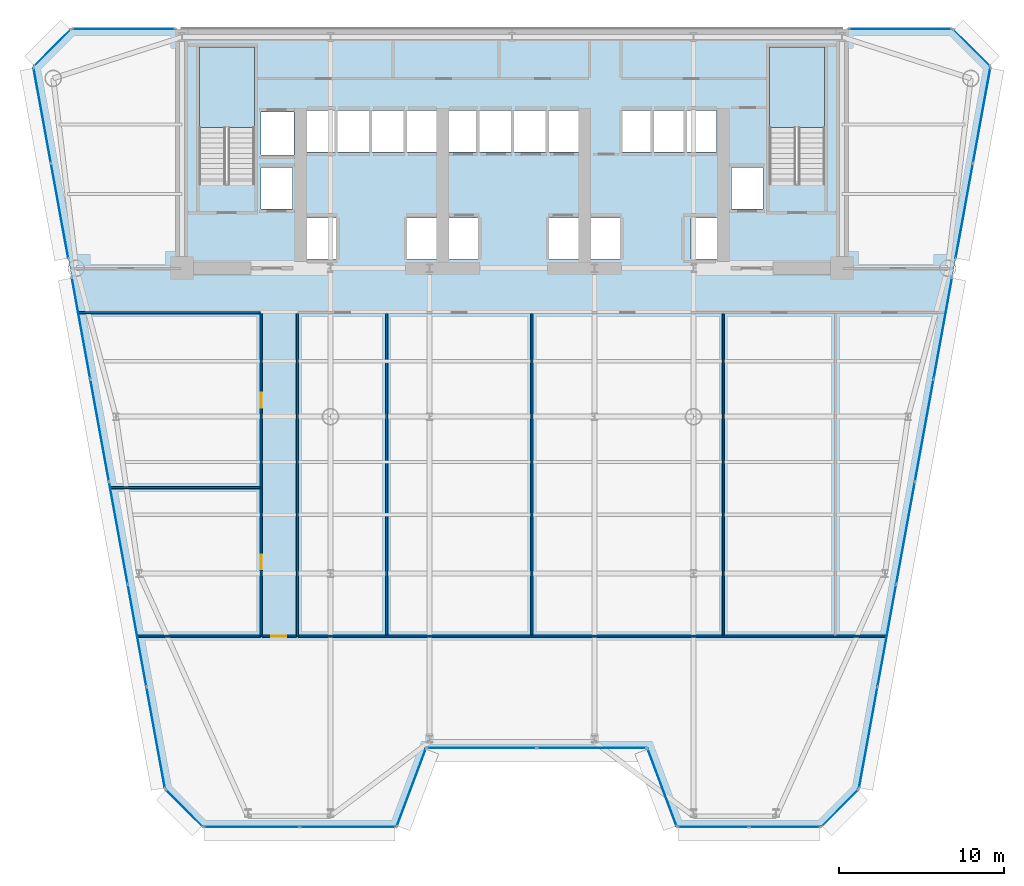
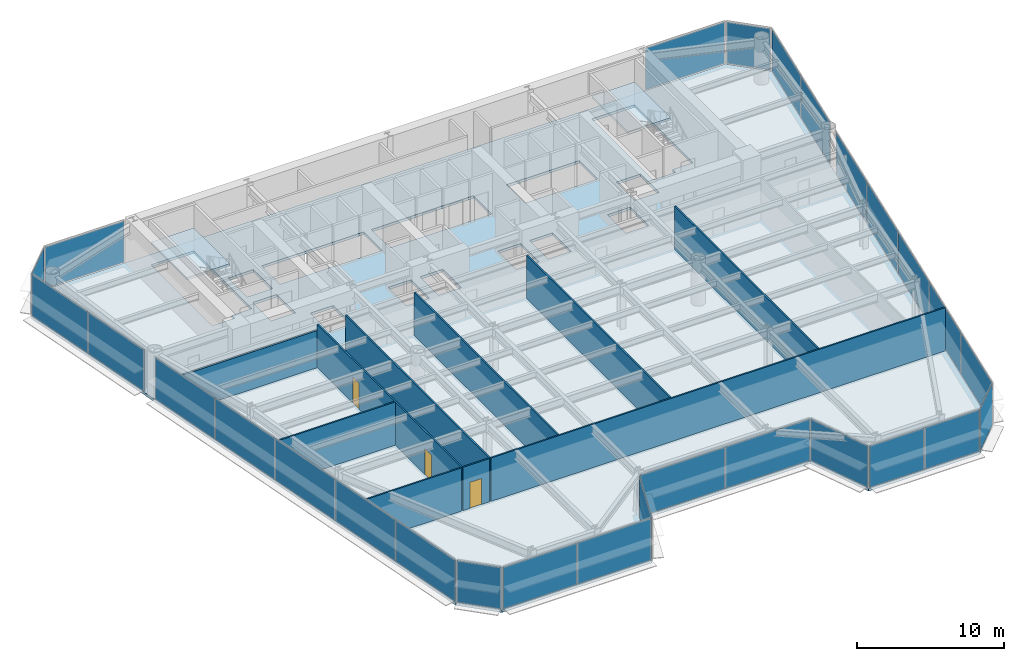
# One storey, part 8 of 15: 28 plates, 10 walls, 3 doors, 3 slabs, 3 openings, 17 elements without a shape of their own.
"""IFC4 building model written with IfcOpenShell, lengths in metres."""

from ifc_helpers import new_model, si_unit, direction, frame, frame_2d, origin, origin_2d, place, context, subcontext, project, spatial, polyline, rectangle, outline, extrude, source, transform, mapped, material, layer, layer_set, type_object, element, fill, aggregate, save


model = new_model("IFC4")

# Units and contexts
model_context = context("Model", 3, precision=1e-05, world=origin(), true_north=direction((0.0, 1.0)))
body_context = subcontext(model_context, "Body", "Model", "MODEL_VIEW")
ifc_project = project(units=[si_unit("LENGTHUNIT", "METRE"), si_unit("AREAUNIT", "SQUARE_METRE"), si_unit("VOLUMEUNIT", "CUBIC_METRE"), si_unit("PLANEANGLEUNIT", "RADIAN"), si_unit("MASSUNIT", "GRAM", prefix="KILO")], contexts=[model_context])

# Site, building, storey
site_placement = place(None, origin())
site = spatial("IfcSite", under=ifc_project, at=site_placement, CompositionType="ELEMENT")
building_placement = place(site_placement, origin())
building = spatial("IfcBuilding", under=site, at=building_placement, Name="Vaeldorn Concourse Tower", CompositionType="ELEMENT")
storey_placement = place(building_placement, frame((0.0, 0.0, 103.39990234375)))
storey = spatial("IfcBuildingStorey", under=building, at=storey_placement, Name="L26", CompositionType="ELEMENT", Elevation=103.39990234375)

# Stair, slab
ifc_material_1 = material(Name="Precast concrete C40/50", Category="concrete")
stair_type = type_object("IfcStairType", Name="STR-DOG-24x158", PredefinedType="HALF_TURN_STAIR", material=ifc_material_1)
stair_1_placement = place(storey_placement, origin())
stair_1 = element("IfcStair", 1, at=stair_1_placement, inside=storey, type_object=stair_type, Name="L26 West Core Exit Stair ST-1", PredefinedType="HALF_TURN_STAIR")
ifc_material_2 = material(Name="Concrete C40/50", Category="concrete")
ifc_layer_1 = layer(ifc_material_2, 0.199951171875)
ifc_layer_set_1 = layer_set([ifc_layer_1], Name="Concrete C40/50")
slab_type_1 = type_object("IfcSlabType", Name="SL-STAIR-LANDING", PredefinedType="LANDING", material=ifc_layer_set_1)
slab_1_placement = place(storey_placement, frame((0.0, 0.0, 1.7001953125)))
slab_1 = element("IfcSlab", 2, at=slab_1_placement, type_object=slab_type_1, Name="ST-1 landing 1", PredefinedType="LANDING", context=body_context, shape_type="SweptSolid", body=[
    extrude(outline(polyline([(18.39990234375, 45.010009765625), (18.39990234375, 49.89990234375), (15.050048828125, 49.89990234375), (15.050048828125, 45.010009765625), (18.39990234375, 45.010009765625)])), origin(), (0.0, 0.0, 1.0), 0.199951171875),
])
aggregate(stair_1, [slab_1])

stair_2_placement = place(storey_placement, origin())
stair_2 = element("IfcStair", 3, at=stair_2_placement, inside=storey, type_object=stair_type, Name="L26 East Core Exit Stair ST-2", PredefinedType="HALF_TURN_STAIR")
slab_2_placement = place(storey_placement, frame((0.0, 0.0, 1.7001953125)))
slab_2 = element("IfcSlab", 4, at=slab_2_placement, type_object=slab_type_1, Name="ST-2 landing 1", PredefinedType="LANDING", context=body_context, shape_type="SweptSolid", body=[
    extrude(outline(polyline([(52.949951171875, 45.010009765625), (52.949951171875, 49.89990234375), (49.60009765625, 49.89990234375), (49.60009765625, 45.010009765625), (52.949951171875, 45.010009765625)])), origin(), (0.0, 0.0, 1.0), 0.199951171875),
])
aggregate(stair_2, [slab_2])

# Slab
ifc_layer_2 = layer(ifc_material_2, 0.219970703125)
ifc_layer_set_2 = layer_set([ifc_layer_2], Name="Concrete C40/50")
slab_type_2 = type_object("IfcSlabType", Name="SL-TYP-220", PredefinedType="FLOOR", material=ifc_layer_set_2)
slab_3_placement = place(storey_placement, frame((0.0, 0.0, -0.219970703125)))
element("IfcSlab", 5, at=slab_3_placement, inside=storey, type_object=slab_type_2, Name="Structural Floor Slab L26", PredefinedType="FLOOR", context=body_context, shape_type="SweptSolid", body=[
    extrude(outline(polyline([(15.281005859375, 2.6298828125), (27.0, 2.6298828125), (28.800048828125, 7.4296875), (42.199951171875, 7.4296875), (44.0, 2.6298828125), (52.718994140625, 2.6298828125), (55.018798828125, 4.9296875), (63.0, 48.699951171875), (60.699951171875, 51.0), (7.300048828125, 51.0), (5.0, 48.699951171875), (12.981201171875, 4.9296875), (15.281005859375, 2.6298828125)]), holes=[polyline([(18.39990234375, 42.0), (18.39990234375, 49.89990234375), (15.050048828125, 49.89990234375), (15.050048828125, 41.60009765625), (16.800048828125, 41.60009765625), (16.800048828125, 42.0), (18.39990234375, 42.0)]), polyline([(52.949951171875, 42.0), (52.949951171875, 49.89990234375), (49.60009765625, 49.89990234375), (49.60009765625, 41.60009765625), (51.35009765625, 41.60009765625), (51.35009765625, 42.0), (52.949951171875, 42.0)]), polyline([(21.550048828125, 37.050048828125), (23.35009765625, 37.050048828125), (23.35009765625, 39.550048828125), (21.550048828125, 39.550048828125), (21.550048828125, 37.050048828125)]), polyline([(27.64990234375, 37.050048828125), (29.449951171875, 37.050048828125), (29.449951171875, 39.550048828125), (27.64990234375, 39.550048828125), (27.64990234375, 37.050048828125)]), polyline([(21.5, 43.550048828125), (29.5, 43.550048828125), (29.5, 46.050048828125), (21.5, 46.050048828125), (21.5, 43.550048828125)]), polyline([(30.14990234375, 37.050048828125), (31.949951171875, 37.050048828125), (31.949951171875, 39.550048828125), (30.14990234375, 39.550048828125), (30.14990234375, 37.050048828125)]), polyline([(36.25, 37.050048828125), (38.050048828125, 37.050048828125), (38.050048828125, 39.550048828125), (36.25, 39.550048828125), (36.25, 37.050048828125)]), polyline([(30.10009765625, 43.550048828125), (38.10009765625, 43.550048828125), (38.10009765625, 46.050048828125), (30.10009765625, 46.050048828125), (30.10009765625, 43.550048828125)]), polyline([(38.75, 37.050048828125), (40.550048828125, 37.050048828125), (40.550048828125, 39.550048828125), (38.75, 39.550048828125), (38.75, 37.050048828125)]), polyline([(44.85009765625, 37.050048828125), (46.64990234375, 37.050048828125), (46.64990234375, 39.550048828125), (44.85009765625, 39.550048828125), (44.85009765625, 37.050048828125)]), polyline([(40.699951171875, 43.550048828125), (46.39990234375, 43.550048828125), (46.39990234375, 46.050048828125), (40.699951171875, 46.050048828125), (40.699951171875, 43.550048828125)]), polyline([(18.800048828125, 43.35009765625), (20.800048828125, 43.35009765625), (20.800048828125, 45.949951171875), (18.800048828125, 45.949951171875), (18.800048828125, 43.35009765625)]), polyline([(18.800048828125, 40.10009765625), (20.699951171875, 40.10009765625), (20.699951171875, 42.60009765625), (18.800048828125, 42.60009765625), (18.800048828125, 40.10009765625)]), polyline([(47.300048828125, 40.10009765625), (49.199951171875, 40.10009765625), (49.199951171875, 42.60009765625), (47.300048828125, 42.60009765625), (47.300048828125, 40.10009765625)])]), origin(), (0.0, 0.0, 1.0), 0.219970703125),
])

# Curtain wall, plate
ifc_material_3 = material(Name="Anodised Bronze Aluminium", Category="aluminium")
ifc_layer_3 = layer(ifc_material_3, 0.199951171875)
ifc_layer_set_3 = layer_set([ifc_layer_3], Name="Anodised Bronze Aluminium")
curtain_wall_type = type_object("IfcCurtainWallType", Name="CW-SYS-02", PredefinedType="NOTDEFINED", material=ifc_layer_set_3)
curtain_wall_1_placement = place(storey_placement, origin())
curtain_wall_1 = element("IfcCurtainWall", 6, at=curtain_wall_1_placement, inside=storey, type_object=curtain_wall_type, Name="Unitised Curtain Wall CW-L26-E02-1", PredefinedType="NOTDEFINED")
ifc_material_4 = material(Name="Bronze Tinted Low-E Insulated Glass", Category="glass")
ifc_layer_4 = layer(ifc_material_4, 0.031982421875)
ifc_layer_set_4 = layer_set([ifc_layer_4], Name="Bronze Tinted Low-E Insulated Glass")
plate_type = type_object("IfcPlateType", Name="CWP-VISION-32", PredefinedType="CURTAIN_PANEL", material=ifc_layer_set_4)
shared_shape_1 = source(origin(), body_context, "Body", "SweptSolid", [
    extrude(rectangle(XDim=4.976318359375, YDim=0.031982421875, at=origin_2d()), origin(), (0.0, 0.0, 1.0), 3.429931640625),
])
plate_1_placement = place(storey_placement, frame((27.89990234375, 5.02978515625, 0.0751953125), z_axis=(0.0, 0.0, 1.0), x_axis=(0.351123441595, 0.936329177566, 0.0)))
plate_1 = element("IfcPlate", 7, at=plate_1_placement, type_object=plate_type, Name="CW-02 panel 1.1", PredefinedType="CURTAIN_PANEL", context=body_context, shape_type="MappedRepresentation", body=[
    mapped(shared_shape_1, transform((0.0, 0.0, 0.0), scale=1.0)),
])
aggregate(curtain_wall_1, [plate_1])

curtain_wall_2_placement = place(storey_placement, origin())
curtain_wall_2 = element("IfcCurtainWall", 8, at=curtain_wall_2_placement, inside=storey, type_object=curtain_wall_type, Name="Unitised Curtain Wall CW-L26-E04-1", PredefinedType="NOTDEFINED")
plate_2_placement = place(storey_placement, frame((43.10009765625, 5.02978515625, 0.0751953125), z_axis=(0.0, 0.0, 1.0), x_axis=(0.351123441595, -0.936329177566, 0.0)))
plate_2 = element("IfcPlate", 9, at=plate_2_placement, type_object=plate_type, Name="CW-02 panel 1.1", PredefinedType="CURTAIN_PANEL", context=body_context, shape_type="MappedRepresentation", body=[
    mapped(shared_shape_1, transform((0.0, 0.0, 0.0), scale=1.0)),
])
aggregate(curtain_wall_2, [plate_2])

# Curtain wall, plates
curtain_wall_3_placement = place(storey_placement, origin())
curtain_wall_3 = element("IfcCurtainWall", 10, at=curtain_wall_3_placement, inside=storey, type_object=curtain_wall_type, Name="Unitised Curtain Wall CW-L26-E03-1", PredefinedType="NOTDEFINED")
shared_shape_2 = source(origin(), body_context, "Body", "SweptSolid", [
    extrude(rectangle(XDim=6.58740234375, YDim=0.031982421875, at=origin_2d()), origin(), (0.0, 0.0, 1.0), 3.429931640625),
])
plate_3_placement = place(storey_placement, frame((32.168701171875, 7.4296875, 0.0751953125), z_axis=(0.0, 0.0, 1.0), x_axis=(1.0, 0.0, 0.0)))
plate_3 = element("IfcPlate", 11, at=plate_3_placement, type_object=plate_type, Name="CW-02 panel 1.1", PredefinedType="CURTAIN_PANEL", context=body_context, shape_type="MappedRepresentation", body=[
    mapped(shared_shape_2, transform((0.0, 0.0, 0.0), scale=1.0)),
])
plate_4_placement = place(storey_placement, frame((38.831298828125, 7.4296875, 0.0751953125), z_axis=(0.0, 0.0, 1.0), x_axis=(1.0, 0.0, 0.0)))
plate_4 = element("IfcPlate", 12, at=plate_4_placement, type_object=plate_type, Name="CW-02 panel 2.1", PredefinedType="CURTAIN_PANEL", context=body_context, shape_type="MappedRepresentation", body=[
    mapped(shared_shape_2, transform((0.0, 0.0, 0.0), scale=1.0)),
])
aggregate(curtain_wall_3, [plate_3, plate_4])

# Curtain wall, plate
curtain_wall_4_placement = place(storey_placement, origin())
curtain_wall_4 = element("IfcCurtainWall", 13, at=curtain_wall_4_placement, inside=storey, type_object=curtain_wall_type, Name="Unitised Curtain Wall CW-L26-E06-1", PredefinedType="NOTDEFINED")
shared_shape_3 = source(origin(), body_context, "Body", "SweptSolid", [
    extrude(rectangle(XDim=3.102783203125, YDim=0.031982421875, at=origin_2d()), origin(), (0.0, 0.0, 1.0), 3.429931640625),
])
plate_5_placement = place(storey_placement, frame((53.868896484375, 3.77978515625, 0.0751953125), z_axis=(0.0, 0.0, 1.0), x_axis=(0.707106781187, 0.707106781187, 0.0)))
plate_5 = element("IfcPlate", 14, at=plate_5_placement, type_object=plate_type, Name="CW-02 panel 1.1", PredefinedType="CURTAIN_PANEL", context=body_context, shape_type="MappedRepresentation", body=[
    mapped(shared_shape_3, transform((0.0, 0.0, 0.0), scale=1.0)),
])
aggregate(curtain_wall_4, [plate_5])

curtain_wall_5_placement = place(storey_placement, origin())
curtain_wall_5 = element("IfcCurtainWall", 15, at=curtain_wall_5_placement, inside=storey, type_object=curtain_wall_type, Name="Unitised Curtain Wall CW-L26-E08-1", PredefinedType="NOTDEFINED")
plate_6_placement = place(storey_placement, frame((61.85009765625, 49.85009765625, 0.0751953125), z_axis=(0.0, 0.0, 1.0), x_axis=(-0.707106781187, 0.707106781187, 0.0)))
plate_6 = element("IfcPlate", 16, at=plate_6_placement, type_object=plate_type, Name="CW-02 panel 1.1", PredefinedType="CURTAIN_PANEL", context=body_context, shape_type="MappedRepresentation", body=[
    mapped(shared_shape_3, transform((0.0, 0.0, 0.0), scale=1.0)),
])
aggregate(curtain_wall_5, [plate_6])

curtain_wall_6_placement = place(storey_placement, origin())
curtain_wall_6 = element("IfcCurtainWall", 17, at=curtain_wall_6_placement, inside=storey, type_object=curtain_wall_type, Name="Unitised Curtain Wall CW-L26-E10-1", PredefinedType="NOTDEFINED")
plate_7_placement = place(storey_placement, frame((6.14990234375, 49.85009765625, 0.0751953125), z_axis=(0.0, 0.0, 1.0), x_axis=(-0.707106781187, -0.707106781187, 0.0)))
plate_7 = element("IfcPlate", 18, at=plate_7_placement, type_object=plate_type, Name="CW-02 panel 1.1", PredefinedType="CURTAIN_PANEL", context=body_context, shape_type="MappedRepresentation", body=[
    mapped(shared_shape_3, transform((0.0, 0.0, 0.0), scale=1.0)),
])
aggregate(curtain_wall_6, [plate_7])

curtain_wall_7_placement = place(storey_placement, origin())
curtain_wall_7 = element("IfcCurtainWall", 19, at=curtain_wall_7_placement, inside=storey, type_object=curtain_wall_type, Name="Unitised Curtain Wall CW-L26-E12-1", PredefinedType="NOTDEFINED")
plate_8_placement = place(storey_placement, frame((14.131103515625, 3.77978515625, 0.0751953125), z_axis=(0.0, 0.0, 1.0), x_axis=(0.707106781187, -0.707106781187, 0.0)))
plate_8 = element("IfcPlate", 20, at=plate_8_placement, type_object=plate_type, Name="CW-02 panel 1.1", PredefinedType="CURTAIN_PANEL", context=body_context, shape_type="MappedRepresentation", body=[
    mapped(shared_shape_3, transform((0.0, 0.0, 0.0), scale=1.0)),
])
aggregate(curtain_wall_7, [plate_8])

# Curtain wall, plates
curtain_wall_8_placement = place(storey_placement, origin())
curtain_wall_8 = element("IfcCurtainWall", 21, at=curtain_wall_8_placement, inside=storey, type_object=curtain_wall_type, Name="Unitised Curtain Wall CW-L26-E01-1", PredefinedType="NOTDEFINED")
shared_shape_4 = source(origin(), body_context, "Body", "SweptSolid", [
    extrude(rectangle(XDim=5.7470703125, YDim=0.031982421875, at=origin_2d()), origin(), (0.0, 0.0, 1.0), 3.429931640625),
])
plate_9_placement = place(storey_placement, frame((18.2294921875, 2.6298828125, 0.0751953125), z_axis=(0.0, 0.0, 1.0), x_axis=(1.0, 0.0, 0.0)))
plate_9 = element("IfcPlate", 22, at=plate_9_placement, type_object=plate_type, Name="CW-02 panel 1.1", PredefinedType="CURTAIN_PANEL", context=body_context, shape_type="MappedRepresentation", body=[
    mapped(shared_shape_4, transform((0.0, 0.0, 0.0), scale=1.0)),
])
plate_10_placement = place(storey_placement, frame((24.051513671875, 2.6298828125, 0.0751953125), z_axis=(0.0, 0.0, 1.0), x_axis=(1.0, 0.0, 0.0)))
plate_10 = element("IfcPlate", 23, at=plate_10_placement, type_object=plate_type, Name="CW-02 panel 2.1", PredefinedType="CURTAIN_PANEL", context=body_context, shape_type="MappedRepresentation", body=[
    mapped(shared_shape_4, transform((0.0, 0.0, 0.0), scale=1.0)),
])
aggregate(curtain_wall_8, [plate_9, plate_10])

curtain_wall_9_placement = place(storey_placement, origin())
curtain_wall_9 = element("IfcCurtainWall", 24, at=curtain_wall_9_placement, inside=storey, type_object=curtain_wall_type, Name="Unitised Curtain Wall CW-L26-E05-1", PredefinedType="NOTDEFINED")
shared_shape_5 = source(origin(), body_context, "Body", "SweptSolid", [
    extrude(rectangle(XDim=4.2470703125, YDim=0.031982421875, at=origin_2d()), origin(), (0.0, 0.0, 1.0), 3.429931640625),
])
plate_11_placement = place(storey_placement, frame((46.198486328125, 2.6298828125, 0.0751953125), z_axis=(0.0, 0.0, 1.0), x_axis=(1.0, 0.0, 0.0)))
plate_11 = element("IfcPlate", 25, at=plate_11_placement, type_object=plate_type, Name="CW-02 panel 1.1", PredefinedType="CURTAIN_PANEL", context=body_context, shape_type="MappedRepresentation", body=[
    mapped(shared_shape_5, transform((0.0, 0.0, 0.0), scale=1.0)),
])
plate_12_placement = place(storey_placement, frame((50.5205078125, 2.6298828125, 0.0751953125), z_axis=(0.0, 0.0, 1.0), x_axis=(1.0, 0.0, 0.0)))
plate_12 = element("IfcPlate", 26, at=plate_12_placement, type_object=plate_type, Name="CW-02 panel 2.1", PredefinedType="CURTAIN_PANEL", context=body_context, shape_type="MappedRepresentation", body=[
    mapped(shared_shape_5, transform((0.0, 0.0, 0.0), scale=1.0)),
])
aggregate(curtain_wall_9, [plate_11, plate_12])

# Curtain wall, plate
curtain_wall_10_placement = place(storey_placement, origin())
curtain_wall_10 = element("IfcCurtainWall", 27, at=curtain_wall_10_placement, inside=storey, type_object=curtain_wall_type, Name="Unitised Curtain Wall CW-L26-E09-1", PredefinedType="NOTDEFINED")
shared_shape_6 = source(origin(), body_context, "Body", "SweptSolid", [
    extrude(rectangle(XDim=6.179931640625, YDim=0.031982421875, at=origin_2d()), origin(), (0.0, 0.0, 1.0), 3.429931640625),
])
plate_13_placement = place(storey_placement, frame((57.534912109375, 51.0, 0.0751953125), z_axis=(0.0, 0.0, 1.0), x_axis=(-1.0, 0.0, 0.0)))
plate_13 = element("IfcPlate", 28, at=plate_13_placement, type_object=plate_type, Name="CW-02 panel 1.1", PredefinedType="CURTAIN_PANEL", context=body_context, shape_type="MappedRepresentation", body=[
    mapped(shared_shape_6, transform((0.0, 0.0, 0.0), scale=1.0)),
])
aggregate(curtain_wall_10, [plate_13])

curtain_wall_11_placement = place(storey_placement, origin())
curtain_wall_11 = element("IfcCurtainWall", 29, at=curtain_wall_11_placement, inside=storey, type_object=curtain_wall_type, Name="Unitised Curtain Wall CW-L26-E09-2", PredefinedType="NOTDEFINED")
plate_14_placement = place(storey_placement, frame((10.465087890625, 51.0, 0.0751953125), z_axis=(0.0, 0.0, 1.0), x_axis=(-1.0, 0.0, 0.0)))
plate_14 = element("IfcPlate", 30, at=plate_14_placement, type_object=plate_type, Name="CW-02 panel 1.1", PredefinedType="CURTAIN_PANEL", context=body_context, shape_type="MappedRepresentation", body=[
    mapped(shared_shape_6, transform((0.0, 0.0, 0.0), scale=1.0)),
])
aggregate(curtain_wall_11, [plate_14])

# Curtain wall, plates
curtain_wall_12_placement = place(storey_placement, origin())
curtain_wall_12 = element("IfcCurtainWall", 31, at=curtain_wall_12_placement, inside=storey, type_object=curtain_wall_type, Name="Unitised Curtain Wall CW-L26-E07-1", PredefinedType="NOTDEFINED")
shared_shape_7 = source(origin(), body_context, "Body", "SweptSolid", [
    extrude(rectangle(XDim=6.200439453125, YDim=0.031982421875, at=origin_2d()), origin(), (0.0, 0.0, 1.0), 3.429931640625),
])
plate_15_placement = place(storey_placement, frame((55.58837890625, 8.053466796875, 0.0751953125), z_axis=(0.0, 0.0, 1.0), x_axis=(0.179383625321, 0.983779200312, 0.0)))
plate_15 = element("IfcPlate", 32, at=plate_15_placement, type_object=plate_type, Name="CW-02 panel 1.1", PredefinedType="CURTAIN_PANEL", context=body_context, shape_type="MappedRepresentation", body=[
    mapped(shared_shape_7, transform((0.0, 0.0, 0.0), scale=1.0)),
])
plate_16_placement = place(storey_placement, frame((60.111328125, 32.8583984375, 0.0751953125), z_axis=(0.0, 0.0, 1.0), x_axis=(0.179383625321, 0.983779200312, 0.0)))
plate_16 = element("IfcPlate", 33, at=plate_16_placement, type_object=plate_type, Name="CW-02 panel 5.1", PredefinedType="CURTAIN_PANEL", context=body_context, shape_type="MappedRepresentation", body=[
    mapped(shared_shape_7, transform((0.0, 0.0, 0.0), scale=1.0)),
])

curtain_wall_13_placement = place(storey_placement, origin())
curtain_wall_13 = element("IfcCurtainWall", 34, at=curtain_wall_13_placement, inside=storey, type_object=curtain_wall_type, Name="Unitised Curtain Wall CW-L26-E11-2", PredefinedType="NOTDEFINED")
plate_17_placement = place(storey_placement, frame((7.888671875, 32.8583984375, 0.0751953125), z_axis=(0.0, 0.0, 1.0), x_axis=(0.179383625321, -0.983779200312, 0.0)))
plate_17 = element("IfcPlate", 35, at=plate_17_placement, type_object=plate_type, Name="CW-02 panel 1.1", PredefinedType="CURTAIN_PANEL", context=body_context, shape_type="MappedRepresentation", body=[
    mapped(shared_shape_7, transform((0.0, 0.0, 0.0), scale=1.0)),
])
plate_18_placement = place(storey_placement, frame((12.41162109375, 8.053466796875, 0.0751953125), z_axis=(0.0, 0.0, 1.0), x_axis=(0.179383625321, -0.983779200312, 0.0)))
plate_18 = element("IfcPlate", 36, at=plate_18_placement, type_object=plate_type, Name="CW-02 panel 5.1", PredefinedType="CURTAIN_PANEL", context=body_context, shape_type="MappedRepresentation", body=[
    mapped(shared_shape_7, transform((0.0, 0.0, 0.0), scale=1.0)),
])

# Plate
shared_shape_8 = source(origin(), body_context, "Body", "SweptSolid", [
    extrude(rectangle(XDim=6.23779296875, YDim=0.031982421875, at=origin_2d()), origin(), (0.0, 0.0, 1.0), 3.429931640625),
])
plate_19_placement = place(storey_placement, frame((56.717529296875, 14.245361328125, 0.0751953125), z_axis=(0.0, 0.0, 1.0), x_axis=(0.179383625321, 0.983779200312, 0.0)))
plate_19 = element("IfcPlate", 37, at=plate_19_placement, type_object=plate_type, Name="CW-02 panel 2.1", PredefinedType="CURTAIN_PANEL", context=body_context, shape_type="MappedRepresentation", body=[
    mapped(shared_shape_8, transform((0.0, 0.0, 0.0), scale=1.0)),
])

plate_20_placement = place(storey_placement, frame((57.849853515625, 20.455810546875, 0.0751953125), z_axis=(0.0, 0.0, 1.0), x_axis=(0.179383625321, 0.983779200312, 0.0)))
plate_20 = element("IfcPlate", 38, at=plate_20_placement, type_object=plate_type, Name="CW-02 panel 3.1", PredefinedType="CURTAIN_PANEL", context=body_context, shape_type="MappedRepresentation", body=[
    mapped(shared_shape_8, transform((0.0, 0.0, 0.0), scale=1.0)),
])

plate_21_placement = place(storey_placement, frame((58.982421875, 26.666259765625, 0.0751953125), z_axis=(0.0, 0.0, 1.0), x_axis=(0.179383625321, 0.983779200312, 0.0)))
plate_21 = element("IfcPlate", 39, at=plate_21_placement, type_object=plate_type, Name="CW-02 panel 4.1", PredefinedType="CURTAIN_PANEL", context=body_context, shape_type="MappedRepresentation", body=[
    mapped(shared_shape_8, transform((0.0, 0.0, 0.0), scale=1.0)),
])

aggregate(curtain_wall_12, [plate_15, plate_19, plate_20, plate_21, plate_16])

plate_22_placement = place(storey_placement, frame((9.017578125, 26.666259765625, 0.0751953125), z_axis=(0.0, 0.0, 1.0), x_axis=(0.179383625321, -0.983779200312, 0.0)))
plate_22 = element("IfcPlate", 40, at=plate_22_placement, type_object=plate_type, Name="CW-02 panel 2.1", PredefinedType="CURTAIN_PANEL", context=body_context, shape_type="MappedRepresentation", body=[
    mapped(shared_shape_8, transform((0.0, 0.0, 0.0), scale=1.0)),
])

plate_23_placement = place(storey_placement, frame((10.150146484375, 20.455810546875, 0.0751953125), z_axis=(0.0, 0.0, 1.0), x_axis=(0.179383625321, -0.983779200312, 0.0)))
plate_23 = element("IfcPlate", 41, at=plate_23_placement, type_object=plate_type, Name="CW-02 panel 3.1", PredefinedType="CURTAIN_PANEL", context=body_context, shape_type="MappedRepresentation", body=[
    mapped(shared_shape_8, transform((0.0, 0.0, 0.0), scale=1.0)),
])

plate_24_placement = place(storey_placement, frame((11.282470703125, 14.245361328125, 0.0751953125), z_axis=(0.0, 0.0, 1.0), x_axis=(0.179383625321, -0.983779200312, 0.0)))
plate_24 = element("IfcPlate", 42, at=plate_24_placement, type_object=plate_type, Name="CW-02 panel 4.1", PredefinedType="CURTAIN_PANEL", context=body_context, shape_type="MappedRepresentation", body=[
    mapped(shared_shape_8, transform((0.0, 0.0, 0.0), scale=1.0)),
])

aggregate(curtain_wall_13, [plate_17, plate_22, plate_23, plate_24, plate_18])

# Curtain wall, plates
curtain_wall_14_placement = place(storey_placement, origin())
curtain_wall_14 = element("IfcCurtainWall", 43, at=curtain_wall_14_placement, inside=storey, type_object=curtain_wall_type, Name="Unitised Curtain Wall CW-L26-E07-2", PredefinedType="NOTDEFINED")
shared_shape_9 = source(origin(), body_context, "Body", "SweptSolid", [
    extrude(rectangle(XDim=5.82470703125, YDim=0.031982421875, at=origin_2d()), origin(), (0.0, 0.0, 1.0), 3.429931640625),
])
plate_25_placement = place(storey_placement, frame((61.40576171875, 39.95703125, 0.0751953125), z_axis=(0.0, 0.0, 1.0), x_axis=(0.179382677853, 0.983779373074, 0.0)))
plate_25 = element("IfcPlate", 44, at=plate_25_placement, type_object=plate_type, Name="CW-02 panel 1.1", PredefinedType="CURTAIN_PANEL", context=body_context, shape_type="MappedRepresentation", body=[
    mapped(shared_shape_9, transform((0.0, 0.0, 0.0), scale=1.0)),
])
plate_26_placement = place(storey_placement, frame((62.464111328125, 45.760986328125, 0.0751953125), z_axis=(0.0, 0.0, 1.0), x_axis=(0.179382677853, 0.983779373074, 0.0)))
plate_26 = element("IfcPlate", 45, at=plate_26_placement, type_object=plate_type, Name="CW-02 panel 2.1", PredefinedType="CURTAIN_PANEL", context=body_context, shape_type="MappedRepresentation", body=[
    mapped(shared_shape_9, transform((0.0, 0.0, 0.0), scale=1.0)),
])
aggregate(curtain_wall_14, [plate_25, plate_26])

curtain_wall_15_placement = place(storey_placement, origin())
curtain_wall_15 = element("IfcCurtainWall", 46, at=curtain_wall_15_placement, inside=storey, type_object=curtain_wall_type, Name="Unitised Curtain Wall CW-L26-E11-1", PredefinedType="NOTDEFINED")
plate_27_placement = place(storey_placement, frame((5.535888671875, 45.760986328125, 0.0751953125), z_axis=(0.0, 0.0, 1.0), x_axis=(0.179382677853, -0.983779373074, 0.0)))
plate_27 = element("IfcPlate", 47, at=plate_27_placement, type_object=plate_type, Name="CW-02 panel 1.1", PredefinedType="CURTAIN_PANEL", context=body_context, shape_type="MappedRepresentation", body=[
    mapped(shared_shape_9, transform((0.0, 0.0, 0.0), scale=1.0)),
])
plate_28_placement = place(storey_placement, frame((6.59423828125, 39.95703125, 0.0751953125), z_axis=(0.0, 0.0, 1.0), x_axis=(0.179382677853, -0.983779373074, 0.0)))
plate_28 = element("IfcPlate", 48, at=plate_28_placement, type_object=plate_type, Name="CW-02 panel 2.1", PredefinedType="CURTAIN_PANEL", context=body_context, shape_type="MappedRepresentation", body=[
    mapped(shared_shape_9, transform((0.0, 0.0, 0.0), scale=1.0)),
])
aggregate(curtain_wall_15, [plate_27, plate_28])

# Wall
ifc_material_5 = material(Name="Gypsum Board Partition", Category="gypsum")
ifc_layer_5 = layer(ifc_material_5, 0.1201171875)
ifc_layer_set_5 = layer_set([ifc_layer_5], Name="Gypsum Board Partition")
wall_type = type_object("IfcWallType", Name="WL-PART-120", PredefinedType="PARTITIONING", material=ifc_layer_set_5)
wall_1_placement = place(storey_placement, frame((7.7568359375, 33.800048828125, 0.0), z_axis=(0.0, 0.0, 1.0), x_axis=(1.0, 0.0, 0.0)))
element("IfcWall", 49, at=wall_1_placement, inside=storey, type_object=wall_type, Name="Interior Wall PW-L26-C2SW", PredefinedType="PARTITIONING", context=body_context, shape_type="SweptSolid", body=[
    extrude(rectangle(XDim=10.983154296875, YDim=0.1201171875, at=frame_2d((5.49169921875, 0.0))), origin(), (0.0, 0.0, 1.0), 3.070068359375),
])

# Wall, openings, doors
wall_2_placement = place(storey_placement, frame((18.800048828125, 14.199951171875, 0.0), z_axis=(0.0, 0.0, 1.0), x_axis=(0.0, 1.0, 0.0)))
wall_2 = element("IfcWall", 50, at=wall_2_placement, inside=storey, type_object=wall_type, Name="Interior Wall PW-L26-SP2W", PredefinedType="PARTITIONING", context=body_context, shape_type="SweptSolid", body=[
    extrude(rectangle(XDim=19.5400390625, YDim=0.1201171875, at=frame_2d((9.77001953125, 0.0))), origin(), (0.0, 0.0, 1.0), 3.580078125),
])
opening_1_placement = place(wall_2_placement, frame((4.050048828125, 0.0, 0.0)))
opening_1 = element("IfcOpeningElement", 51, at=opening_1_placement, cuts=wall_2, Name="Opening D-03", PredefinedType="OPENING", context=body_context, shape_type="SweptSolid", body=[
    extrude(rectangle(XDim=0.89990234375, YDim=2.14990234375, at=frame_2d((0.449951171875, 1.074951171875))), frame((0.0, 0.070068359375, 0.0), z_axis=(0.0, -1.0, 0.0), x_axis=(1.0, 0.0, 0.0)), (0.0, 0.0, 1.0), 0.14013671875),
])
opening_2_placement = place(wall_2_placement, frame((13.85009765625, 0.0, 0.0)))
opening_2 = element("IfcOpeningElement", 52, at=opening_2_placement, cuts=wall_2, Name="Opening D-03", PredefinedType="OPENING", context=body_context, shape_type="SweptSolid", body=[
    extrude(rectangle(XDim=0.89990234375, YDim=2.14990234375, at=frame_2d((0.449951171875, 1.074951171875))), frame((0.0, 0.070068359375, 0.0), z_axis=(0.0, -1.0, 0.0), x_axis=(1.0, 0.0, 0.0)), (0.0, 0.0, 1.0), 0.14013671875),
])
ifc_material_6 = material(Name="Acoustic Bronze-Framed Glass Door", Category="glass")
door_type = type_object("IfcDoorType", Name="DR-INT-900", OperationType="NOTDEFINED", PredefinedType="DOOR", material=ifc_material_6)
shared_shape_10 = source(origin(), body_context, "Body", "SweptSolid", [
    extrude(rectangle(XDim=0.89990234375, YDim=2.14990234375, at=frame_2d((0.449951171875, 1.074951171875))), frame((0.0, 0.02490234375, 0.0), z_axis=(0.0, -1.0, 0.0), x_axis=(1.0, 0.0, 0.0)), (0.0, 0.0, 1.0), 0.050048828125),
])
door_1_placement = place(opening_1_placement, origin())
door_1 = element("IfcDoor", 53, at=door_1_placement, inside=storey, type_object=door_type, Name="Interior Door DR-L26-Z2W1", OperationType="SINGLE_SWING_LEFT", OverallHeight=2.14990234375, OverallWidth=0.89990234375, PredefinedType="DOOR", context=body_context, shape_type="MappedRepresentation", body=[
    mapped(shared_shape_10, transform((0.0, 0.0, 0.0), scale=1.0)),
])
fill(opening_1, door_1)
door_2_placement = place(opening_2_placement, origin())
door_2 = element("IfcDoor", 54, at=door_2_placement, inside=storey, type_object=door_type, Name="Interior Door DR-L26-Z2W2", OperationType="SINGLE_SWING_RIGHT", OverallHeight=2.14990234375, OverallWidth=0.89990234375, PredefinedType="DOOR", context=body_context, shape_type="MappedRepresentation", body=[
    mapped(shared_shape_10, transform((0.0, 0.0, 0.0), scale=1.0)),
])
fill(opening_2, door_2)

# Wall
wall_3_placement = place(storey_placement, frame((21.0, 14.199951171875, 0.0), z_axis=(0.0, 0.0, 1.0), x_axis=(0.0, 1.0, 0.0)))
element("IfcWall", 55, at=wall_3_placement, inside=storey, type_object=wall_type, Name="Interior Wall PW-L26-SP2E", PredefinedType="PARTITIONING", context=body_context, shape_type="SweptSolid", body=[
    extrude(rectangle(XDim=19.5400390625, YDim=0.1201171875, at=frame_2d((9.77001953125, 0.0))), origin(), (0.0, 0.0, 1.0), 3.580078125),
])

# Wall, opening, door
wall_4_placement = place(storey_placement, frame((18.860107421875, 14.199951171875, 0.0), z_axis=(0.0, 0.0, 1.0), x_axis=(1.0, 0.0, 0.0)))
wall_4 = element("IfcWall", 56, at=wall_4_placement, inside=storey, type_object=wall_type, Name="Interior Wall PW-L26-SP2S", PredefinedType="PARTITIONING", context=body_context, shape_type="SweptSolid", body=[
    extrude(rectangle(XDim=2.079833984375, YDim=0.1201171875, at=frame_2d((1.0400390625, 0.0))), origin(), (0.0, 0.0, 1.0), 3.580078125),
])
opening_3_placement = place(wall_4_placement, frame((0.550048828125, 0.0, 0.0)))
opening_3 = element("IfcOpeningElement", 57, at=opening_3_placement, cuts=wall_4, Name="Opening D-03", PredefinedType="OPENING", context=body_context, shape_type="SweptSolid", body=[
    extrude(rectangle(XDim=0.89990234375, YDim=2.14990234375, at=frame_2d((0.449951171875, 1.074951171875))), frame((0.0, 0.070068359375, 0.0), z_axis=(0.0, -1.0, 0.0), x_axis=(1.0, 0.0, 0.0)), (0.0, 0.0, 1.0), 0.14013671875),
])
door_3_placement = place(opening_3_placement, origin())
door_3 = element("IfcDoor", 58, at=door_3_placement, inside=storey, type_object=door_type, Name="Interior Door DR-L26-Z2SFM", OperationType="SINGLE_SWING_LEFT", OverallHeight=2.14990234375, OverallWidth=0.89990234375, PredefinedType="DOOR", context=body_context, shape_type="MappedRepresentation", body=[
    mapped(shared_shape_10, transform((0.0, 0.0, 0.0), scale=1.0)),
])
fill(opening_3, door_3)

# Walls
wall_5_placement = place(storey_placement, frame((11.330810546875, 14.199951171875, 0.0), z_axis=(0.0, 0.0, 1.0), x_axis=(1.0, 0.0, 0.0)))
element("IfcWall", 59, at=wall_5_placement, inside=storey, type_object=wall_type, Name="Interior Wall PW-L26-S2WL", PredefinedType="PARTITIONING", context=body_context, shape_type="SweptSolid", body=[
    extrude(rectangle(XDim=7.4091796875, YDim=0.1201171875, at=frame_2d((3.70458984375, 0.0))), origin(), (0.0, 0.0, 1.0), 3.580078125),
])
wall_6_placement = place(storey_placement, frame((21.06005859375, 14.199951171875, 0.0), z_axis=(0.0, 0.0, 1.0), x_axis=(1.0, 0.0, 0.0)))
element("IfcWall", 60, at=wall_6_placement, inside=storey, type_object=wall_type, Name="Interior Wall PW-L26-S2EL", PredefinedType="PARTITIONING", context=body_context, shape_type="SweptSolid", body=[
    extrude(rectangle(XDim=35.609130859375, YDim=0.1201171875, at=frame_2d((17.8046875, 0.0))), origin(), (0.0, 0.0, 1.0), 3.580078125),
])
wall_7_placement = place(storey_placement, frame((9.689697265625, 23.199951171875, 0.0), z_axis=(0.0, 0.0, 1.0), x_axis=(1.0, 0.0, 0.0)))
element("IfcWall", 61, at=wall_7_placement, inside=storey, type_object=wall_type, Name="Interior Wall PW-L26-Z2WY1", PredefinedType="PARTITIONING", context=body_context, shape_type="SweptSolid", body=[
    extrude(rectangle(XDim=9.05029296875, YDim=0.1201171875, at=frame_2d((4.525146484375, 0.0))), origin(), (0.0, 0.0, 1.0), 3.580078125),
])
for number, where, z_axis, x_axis, name in (
    (62, (26.39990234375, 14.260009765625, 0.0), (0.0, 0.0, 1.0), (0.0, 1.0, 0.0), "Interior Wall PW-L26-Z2EX1"),
    (63, (35.199951171875, 14.260009765625, 0.0), (0.0, 0.0, 1.0), (0.0, 1.0, 0.0), "Interior Wall PW-L26-Z2EX2"),
    (64, (46.800048828125, 14.260009765625, 0.0), (0.0, 0.0, 1.0), (0.0, 1.0, 0.0), "Interior Wall PW-L26-Z2EX3"),
):
    element("IfcWall", number, at=place(storey_placement, frame(where, z_axis=z_axis, x_axis=x_axis)), inside=storey, type_object=wall_type, Name=name, PredefinedType="PARTITIONING", context=body_context, shape_type="SweptSolid", body=[
        extrude(rectangle(XDim=19.47998046875, YDim=0.1201171875, at=frame_2d((9.739990234375, 0.0))), origin(), (0.0, 0.0, 1.0), 3.580078125),
    ])

save(model, "model.ifc")
